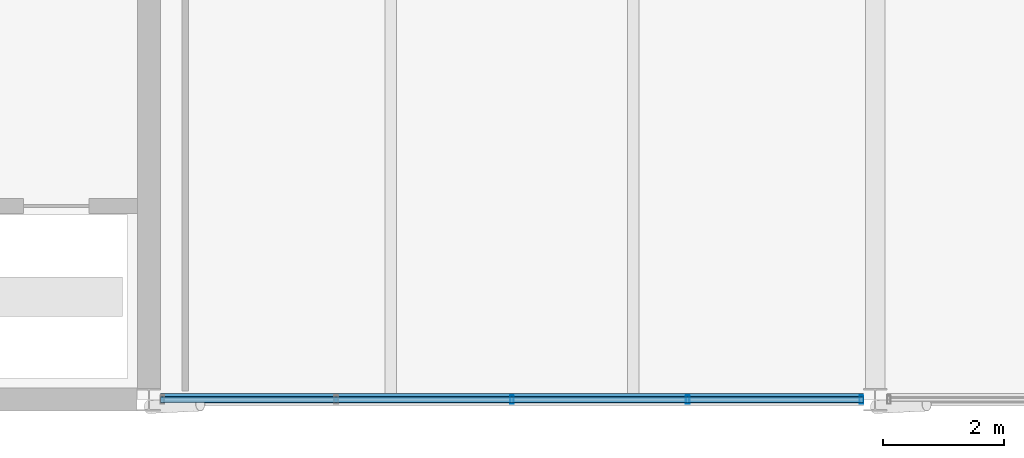
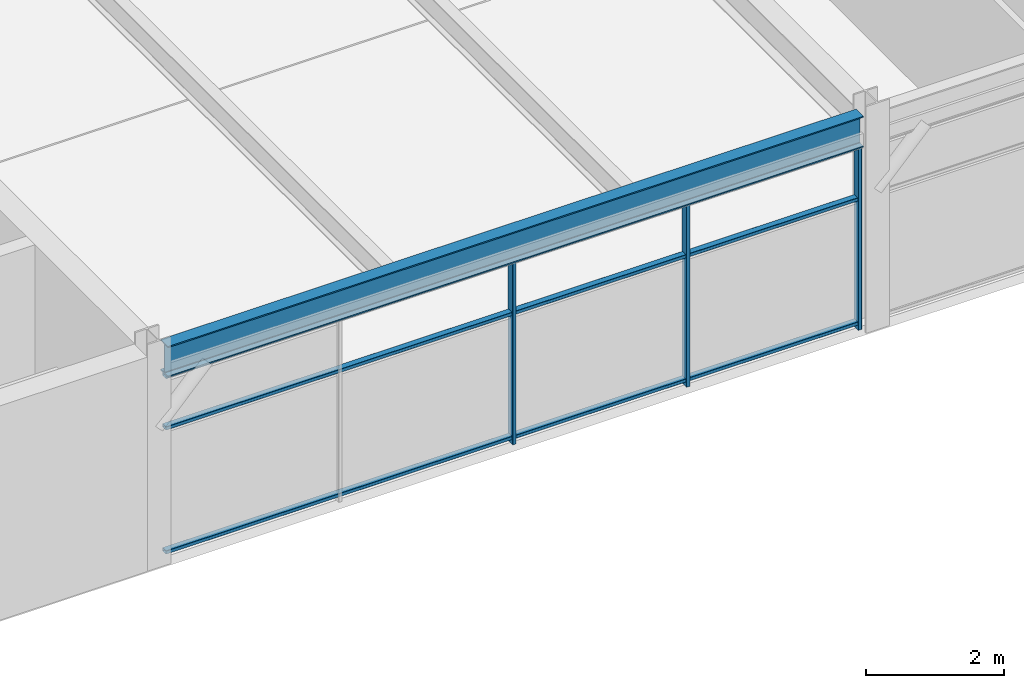
# One storey, part 27 of 52: 6 members, 1 beam, 1 element without a shape of its own.
"""IFC4 building model written with IfcOpenShell, lengths in metres."""

from ifc_helpers import new_model, si_unit, direction, frame, origin, origin_2d, place, context, subcontext, project, spatial, hollow_rectangle, i_section, extrude, material, material_profile, profile_set, type_object, element, aggregate, save


model = new_model("IFC4")

# Units and contexts
model_context = context("Model", 3, precision=1e-05, world=origin(), true_north=direction((0.0, 1.0)))
body_context = subcontext(model_context, "Body", "Model", "MODEL_VIEW")
ifc_project = project(units=[si_unit("LENGTHUNIT", "METRE"), si_unit("AREAUNIT", "SQUARE_METRE"), si_unit("VOLUMEUNIT", "CUBIC_METRE"), si_unit("PLANEANGLEUNIT", "RADIAN"), si_unit("MASSUNIT", "GRAM", prefix="KILO")], contexts=[model_context])

# Site, building, storey
site_placement = place(None, origin())
site = spatial("IfcSite", under=ifc_project, at=site_placement, CompositionType="ELEMENT")
building_placement = place(site_placement, origin())
building = spatial("IfcBuilding", under=site, at=building_placement, Name="Girod Span Mobility Hub", CompositionType="ELEMENT")
storey_placement = place(building_placement, frame((0.0, 0.0, 45.60009765625)))
storey = spatial("IfcBuildingStorey", under=building, at=storey_placement, Name="L11", CompositionType="ELEMENT", Elevation=45.60009765625)

# Beam
ifc_material_1 = material(Name="Steel A992 Grade 50", Category="steel")
ifc_material_profile_1 = material_profile(ifc_material_1, i_section(OverallWidth=0.2119140625, OverallDepth=0.5439453125, WebThickness=0.01318359375, FlangeThickness=0.021240234375, FilletRadius=0.014892578125, at=origin_2d()), Name="W21X83")
ifc_profile_set_1 = profile_set([ifc_material_profile_1], Name="Steel A992 Grade 50")
beam_type = type_object("IfcBeamType", Name="BM-STL-W21X83", PredefinedType="SPANDREL", material=ifc_profile_set_1)
beam_placement = place(storey_placement, frame((84.194091796875, 27.0, 3.5078125), z_axis=(1.0, 0.0, 0.0), x_axis=(0.0, 1.0, 0.0)))
element("IfcBeam", 1, at=beam_placement, inside=storey, type_object=beam_type, Name="Girder 8-9/C L11", PredefinedType="SPANDREL", context=body_context, shape_type="SweptSolid", body=[
    extrude(i_section(OverallWidth=0.2119140625, OverallDepth=0.5439453125, WebThickness=0.01318359375, FlangeThickness=0.021240234375, FilletRadius=0.014892578125, at=origin_2d()), origin(), (0.0, 0.0, 1.0), 11.61181640625),
])

# Curtain wall, members
ifc_material_2 = material(Name="Thermally Broken Anodised Aluminium", Category="aluminium")
curtain_wall_type = type_object("IfcCurtainWallType", Name="CW-1161X324", PredefinedType="USERDEFINED", material=ifc_material_2)
curtain_wall_placement = place(storey_placement, origin())
curtain_wall = element("IfcCurtainWall", 2, at=curtain_wall_placement, inside=storey, type_object=curtain_wall_type, Name="Unitised Curtain Wall CW-L11-S08 L11", ObjectType="UNITISED CURTAIN WALL", PredefinedType="USERDEFINED")
ifc_material_3 = material(Name="Thermally Broken Anodised Aluminium", Category="aluminium")
ifc_material_profile_2 = material_profile(ifc_material_3, hollow_rectangle(XDim=0.139892578125, YDim=0.06005859375, WallThickness=0.00341796875, InnerFilletRadius=0.00341796875, OuterFilletRadius=0.007080078125, at=origin_2d()), Name="CW-ML-60X140")
ifc_profile_set_2 = profile_set([ifc_material_profile_2], Name="Thermally Broken Anodised Aluminium")
member_type_1 = type_object("IfcMemberType", Name="CWM-ML-4", PredefinedType="MULLION", material=ifc_profile_set_2)
member_1_placement = place(storey_placement, frame((90.0, 27.0, 0.0), z_axis=(0.0, 0.0, 1.0), x_axis=(0.0, 1.0, 0.0)))
member_1 = element("IfcMember", 3, at=member_1_placement, type_object=member_type_1, Name="Curtain Wall Mullion CW-L11-S08-M2", PredefinedType="MULLION", context=body_context, shape_type="SweptSolid", body=[
    extrude(hollow_rectangle(XDim=0.139892578125, YDim=0.06005859375, WallThickness=0.00341796875, InnerFilletRadius=0.00341796875, OuterFilletRadius=0.007080078125, at=origin_2d()), origin(), (0.0, 0.0, 1.0), 3.23583984375),
])
member_2_placement = place(storey_placement, frame((92.902587890625, 27.0, 0.0), z_axis=(0.0, 0.0, 1.0), x_axis=(0.0, 1.0, 0.0)))
member_2 = element("IfcMember", 4, at=member_2_placement, type_object=member_type_1, Name="Curtain Wall Mullion CW-L11-S08-M3", PredefinedType="MULLION", context=body_context, shape_type="SweptSolid", body=[
    extrude(hollow_rectangle(XDim=0.139892578125, YDim=0.06005859375, WallThickness=0.00341796875, InnerFilletRadius=0.00341796875, OuterFilletRadius=0.007080078125, at=origin_2d()), origin(), (0.0, 0.0, 1.0), 3.23583984375),
])
member_3_placement = place(storey_placement, frame((95.77294921875, 27.0, 0.0), z_axis=(0.0, 0.0, 1.0), x_axis=(0.0, 1.0, 0.0)))
member_3 = element("IfcMember", 5, at=member_3_placement, type_object=member_type_1, Name="Curtain Wall Mullion CW-L11-S08-M4", PredefinedType="MULLION", context=body_context, shape_type="SweptSolid", body=[
    extrude(hollow_rectangle(XDim=0.139892578125, YDim=0.06005859375, WallThickness=0.00341796875, InnerFilletRadius=0.00341796875, OuterFilletRadius=0.007080078125, at=origin_2d()), origin(), (0.0, 0.0, 1.0), 3.23583984375),
])
ifc_material_4 = material(Name="Thermally Broken Anodised Aluminium", Category="aluminium")
ifc_material_profile_3 = material_profile(ifc_material_4, hollow_rectangle(XDim=0.10498046875, YDim=0.06005859375, WallThickness=0.00341796875, InnerFilletRadius=0.00341796875, OuterFilletRadius=0.007080078125, at=origin_2d()), Name="CW-TR-60X105")
ifc_profile_set_3 = profile_set([ifc_material_profile_3], Name="Thermally Broken Anodised Aluminium")
member_type_2 = type_object("IfcMemberType", Name="CWM-TR-4", PredefinedType="USERDEFINED", material=ifc_profile_set_3)
member_4_placement = place(storey_placement, frame((84.195068359375, 27.0, 0.10986328125), z_axis=(1.0, 0.0, 0.0), x_axis=(0.0, 1.0, 0.0)))
member_4 = element("IfcMember", 6, at=member_4_placement, type_object=member_type_2, Name="Curtain Wall Transom CW-L11-S08-T1", ObjectType="TRANSOM", PredefinedType="USERDEFINED", context=body_context, shape_type="SweptSolid", body=[
    extrude(hollow_rectangle(XDim=0.10498046875, YDim=0.06005859375, WallThickness=0.00341796875, InnerFilletRadius=0.00341796875, OuterFilletRadius=0.007080078125, at=origin_2d()), origin(), (0.0, 0.0, 1.0), 11.60986328125),
])
member_5_placement = place(storey_placement, frame((84.195068359375, 27.0, 2.2998046875), z_axis=(1.0, 0.0, 0.0), x_axis=(0.0, 1.0, 0.0)))
member_5 = element("IfcMember", 7, at=member_5_placement, type_object=member_type_2, Name="Curtain Wall Transom CW-L11-S08-T2", ObjectType="TRANSOM", PredefinedType="USERDEFINED", context=body_context, shape_type="SweptSolid", body=[
    extrude(hollow_rectangle(XDim=0.10498046875, YDim=0.06005859375, WallThickness=0.00341796875, InnerFilletRadius=0.00341796875, OuterFilletRadius=0.007080078125, at=origin_2d()), origin(), (0.0, 0.0, 1.0), 11.60986328125),
])
member_6_placement = place(storey_placement, frame((84.195068359375, 27.0, 3.205810546875), z_axis=(1.0, 0.0, 0.0), x_axis=(0.0, 1.0, 0.0)))
member_6 = element("IfcMember", 8, at=member_6_placement, type_object=member_type_2, Name="Curtain Wall Transom CW-L11-S08-T3", ObjectType="TRANSOM", PredefinedType="USERDEFINED", context=body_context, shape_type="SweptSolid", body=[
    extrude(hollow_rectangle(XDim=0.10498046875, YDim=0.06005859375, WallThickness=0.00341796875, InnerFilletRadius=0.00341796875, OuterFilletRadius=0.007080078125, at=origin_2d()), origin(), (0.0, 0.0, 1.0), 11.60986328125),
])
aggregate(curtain_wall, [member_1, member_2, member_3, member_4, member_5, member_6])

save(model, "model.ifc")
